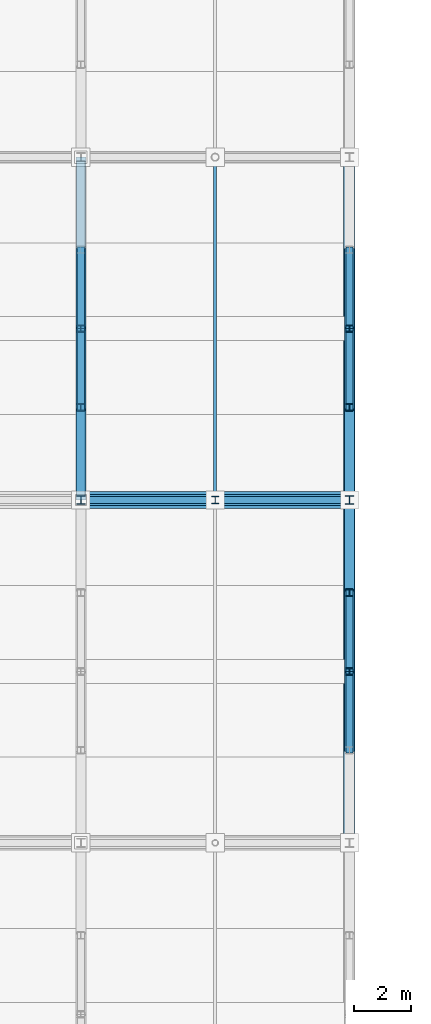
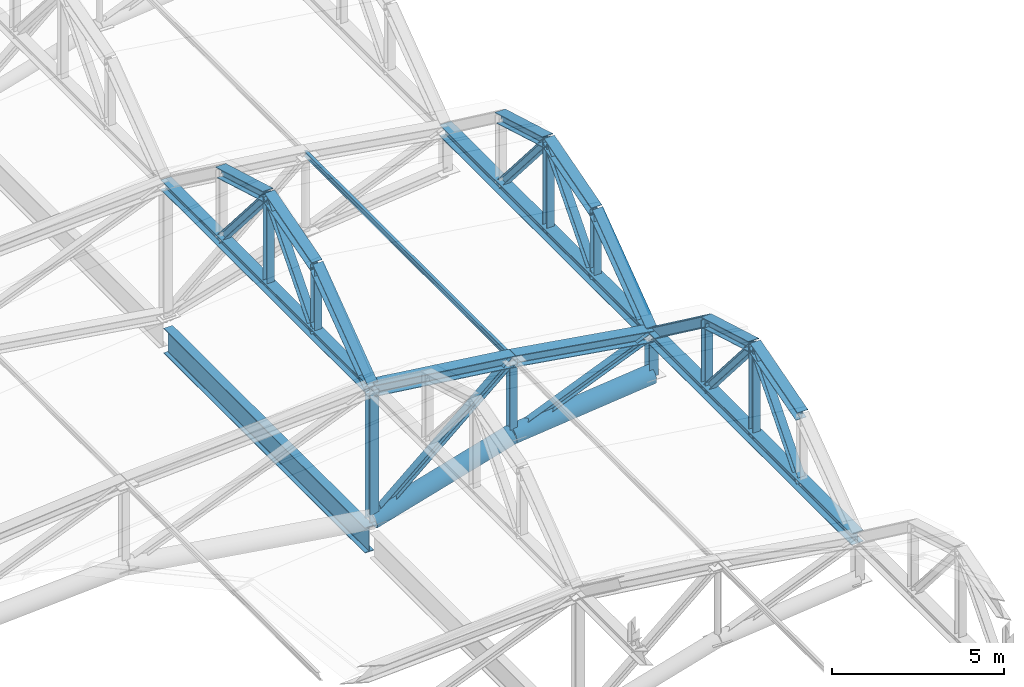
# One storey, part 33 of 117: 34 members, 1 beam.
"""IFC4 building model written with IfcOpenShell, lengths in metres."""

from ifc_helpers import new_model, si_unit, direction, frame, origin, origin_2d, place, context, subcontext, project, spatial, hollow_circle, i_section, extrude, material, material_profile, profile_set, type_object, element, save


model = new_model("IFC4")

# Units and contexts
model_context = context("Model", 3, precision=1e-05, world=origin(), true_north=direction((0.0, 1.0)))
body_context = subcontext(model_context, "Body", "Model", "MODEL_VIEW")
ifc_project = project(units=[si_unit("LENGTHUNIT", "METRE"), si_unit("AREAUNIT", "SQUARE_METRE"), si_unit("VOLUMEUNIT", "CUBIC_METRE"), si_unit("PLANEANGLEUNIT", "RADIAN"), si_unit("MASSUNIT", "GRAM", prefix="KILO")], contexts=[model_context])

# Site, building, storey
site_placement = place(None, origin())
site = spatial("IfcSite", under=ifc_project, at=site_placement, CompositionType="ELEMENT")
building_placement = place(site_placement, origin())
building = spatial("IfcBuilding", under=site, at=building_placement, Name="Kazenohara Klinker Stadium", CompositionType="ELEMENT")
storey_placement = place(building_placement, frame((0.0, 0.0, 31.199951171875)))
storey = spatial("IfcBuildingStorey", under=building, at=storey_placement, Name="RF", CompositionType="ELEMENT", Elevation=31.199951171875)

# Members
ifc_material = material(Name="Steel S355", Category="steel")
ifc_material_profile_1 = material_profile(ifc_material, i_section(OverallWidth=0.25, OverallDepth=0.25, WebThickness=0.009033203125, FlangeThickness=0.013916015625, FilletRadius=0.012939453125, at=origin_2d()), Name="H-250x250x9x14")
ifc_profile_set_1 = profile_set([ifc_material_profile_1], Name="Steel S355")
member_type_1 = type_object("IfcMemberType", Name="MEM-BRC02", PredefinedType="BRACE", material=ifc_profile_set_1)
member_1_placement = place(storey_placement, frame((49.0, 84.0, -0.02001953125), z_axis=(0.755945561544, 0.0, 0.65463448426), x_axis=(0.0, 1.0, 0.0)))
element("IfcMember", 1, at=member_1_placement, inside=storey, type_object=member_type_1, Name="ROOF TRUSS RT-W04 web diagonal 4", PredefinedType="BRACE", context=body_context, shape_type="SweptSolid", body=[
    extrude(i_section(OverallWidth=0.25, OverallDepth=0.25, WebThickness=0.009033203125, FlangeThickness=0.013916015625, FilletRadius=0.012939453125, at=origin_2d()), origin(), (0.0, 0.0, 1.0), 6.21728515625),
])
member_2_placement = place(storey_placement, frame((53.699951171875, 84.0, 1.35009765625), z_axis=(0.923659284192, 0.0, 0.383214726655), x_axis=(0.0, 1.0, 0.0)))
element("IfcMember", 2, at=member_2_placement, inside=storey, type_object=member_type_1, Name="ROOF TRUSS RT-W04 web diagonal 5", PredefinedType="BRACE", context=body_context, shape_type="SweptSolid", body=[
    extrude(i_section(OverallWidth=0.25, OverallDepth=0.25, WebThickness=0.009033203125, FlangeThickness=0.013916015625, FilletRadius=0.012939453125, at=origin_2d()), origin(), (0.0, 0.0, 1.0), 5.08837890625),
])
ifc_material_profile_2 = material_profile(ifc_material, i_section(OverallWidth=0.39990234375, OverallDepth=0.39990234375, WebThickness=0.012939453125, FlangeThickness=0.02099609375, FilletRadius=0.02197265625, at=origin_2d()), Name="H-400x400x13x21")
ifc_profile_set_2 = profile_set([ifc_material_profile_2], Name="Steel S355")
member_type_2 = type_object("IfcMemberType", Name="MEM-CHD01", PredefinedType="CHORD", material=ifc_profile_set_2)
member_3_placement = place(storey_placement, frame((49.0, 84.0, 4.650146484375), z_axis=(0.99194702514, 0.0, -0.126653461524), x_axis=(0.0, 1.0, 0.0)))
element("IfcMember", 3, at=member_3_placement, inside=storey, type_object=member_type_2, Name="ROOF TRUSS RT-W04 top arched chord 4", PredefinedType="CHORD", context=body_context, shape_type="SweptSolid", body=[
    extrude(i_section(OverallWidth=0.39990234375, OverallDepth=0.39990234375, WebThickness=0.012939453125, FlangeThickness=0.02099609375, FilletRadius=0.02197265625, at=origin_2d()), origin(), (0.0, 0.0, 1.0), 4.738037109375),
])
member_4_placement = place(storey_placement, frame((53.699951171875, 84.0, 4.050048828125), z_axis=(0.987505848374, 0.0, -0.157582357602), x_axis=(0.0, 1.0, 0.0)))
element("IfcMember", 4, at=member_4_placement, inside=storey, type_object=member_type_2, Name="ROOF TRUSS RT-W04 top arched chord 5", PredefinedType="CHORD", context=body_context, shape_type="SweptSolid", body=[
    extrude(i_section(OverallWidth=0.39990234375, OverallDepth=0.39990234375, WebThickness=0.012939453125, FlangeThickness=0.02099609375, FilletRadius=0.02197265625, at=origin_2d()), origin(), (0.0, 0.0, 1.0), 4.759521484375),
])
for number, where, z_axis, x_axis, name in (
    (5, (58.39990234375, 72.0, 3.300048828125), (0.0, 1.0, 0.0), (-1.0, 0.0, 0.0), "Inner tension ring chord TC01 segment 03"),
    (6, (58.39990234375, 84.0, 3.300048828125), (0.0, 1.0, 0.0), (-1.0, 0.0, 0.0), "Inner tension ring chord TC01 segment 04"),
):
    element("IfcMember", number, at=place(storey_placement, frame(where, z_axis=z_axis, x_axis=x_axis)), inside=storey, type_object=member_type_2, Name=name, PredefinedType="CHORD", context=body_context, shape_type="SweptSolid", body=[
        extrude(i_section(OverallWidth=0.39990234375, OverallDepth=0.39990234375, WebThickness=0.012939453125, FlangeThickness=0.02099609375, FilletRadius=0.02197265625, at=origin_2d()), origin(), (0.0, 0.0, 1.0), 12.0),
    ])
ifc_material_profile_3 = material_profile(ifc_material, i_section(OverallWidth=0.35009765625, OverallDepth=0.35009765625, WebThickness=0.011962890625, FlangeThickness=0.01904296875, FilletRadius=0.012939453125, at=origin_2d()), Name="H-350x350x12x19")
ifc_profile_set_3 = profile_set([ifc_material_profile_3], Name="Steel S355")
member_type_3 = type_object("IfcMemberType", Name="MEM-CHD02", PredefinedType="CHORD", material=ifc_profile_set_3)
for number, where, z_axis, x_axis, name in (
    (7, (58.39990234375, 75.239990234375, 5.699951171875), (0.0, 0.960462085918, 0.27841081429), (-1.0, 0.0, 0.0), "Barrel arch top rib TC02 W-03-N5-S2"),
    (8, (58.39990234375, 78.0, 6.5), (0.0, 0.960462085918, -0.27841081429), (-1.0, 0.0, 0.0), "Barrel arch top rib TC02 W-03-N5-S3"),
):
    element("IfcMember", number, at=place(storey_placement, frame(where, z_axis=z_axis, x_axis=x_axis)), inside=storey, type_object=member_type_3, Name=name, PredefinedType="CHORD", context=body_context, shape_type="SweptSolid", body=[
        extrude(i_section(OverallWidth=0.35009765625, OverallDepth=0.35009765625, WebThickness=0.011962890625, FlangeThickness=0.01904296875, FilletRadius=0.012939453125, at=origin_2d()), origin(), (0.0, 0.0, 1.0), 2.87353515625),
    ])
member_5_placement = place(storey_placement, frame((58.39990234375, 80.760009765625, 5.699951171875), z_axis=(0.0, 0.803567919639, -0.595213069856), x_axis=(-1.0, 0.0, 0.0)))
element("IfcMember", 9, at=member_5_placement, inside=storey, type_object=member_type_3, Name="Barrel arch top rib TC02 W-03-N5-S4", PredefinedType="CHORD", context=body_context, shape_type="SweptSolid", body=[
    extrude(i_section(OverallWidth=0.35009765625, OverallDepth=0.35009765625, WebThickness=0.011962890625, FlangeThickness=0.01904296875, FilletRadius=0.012939453125, at=origin_2d()), origin(), (0.0, 0.0, 1.0), 4.031982421875),
])
member_6_placement = place(storey_placement, frame((49.0, 84.0, 4.650146484375), z_axis=(0.0, 1.0, 0.0), x_axis=(-1.0, 0.0, 0.0)))
element("IfcMember", 10, at=member_6_placement, inside=storey, type_object=member_type_3, Name="Barrel arch tie chord TC02 W-04-N3", PredefinedType="CHORD", context=body_context, shape_type="SweptSolid", body=[
    extrude(i_section(OverallWidth=0.35009765625, OverallDepth=0.35009765625, WebThickness=0.011962890625, FlangeThickness=0.01904296875, FilletRadius=0.012939453125, at=origin_2d()), origin(), (0.0, 0.0, 1.0), 12.0),
])
member_7_placement = place(storey_placement, frame((49.0, 84.0, 4.650146484375), z_axis=(0.0, 0.803567919639, 0.595213069856), x_axis=(-1.0, 0.0, 0.0)))
element("IfcMember", 11, at=member_7_placement, inside=storey, type_object=member_type_3, Name="Barrel arch top rib TC02 W-04-N3-S1", PredefinedType="CHORD", context=body_context, shape_type="SweptSolid", body=[
    extrude(i_section(OverallWidth=0.35009765625, OverallDepth=0.35009765625, WebThickness=0.011962890625, FlangeThickness=0.01904296875, FilletRadius=0.012939453125, at=origin_2d()), origin(), (0.0, 0.0, 1.0), 4.031982421875),
])
for number, where, z_axis, x_axis, name in (
    (12, (49.0, 87.239990234375, 7.050048828125), (0.0, 0.960462085918, 0.27841081429), (-1.0, 0.0, 0.0), "Barrel arch top rib TC02 W-04-N3-S2"),
    (13, (49.0, 90.0, 7.85009765625), (0.0, 0.960462085918, -0.27841081429), (-1.0, 0.0, 0.0), "Barrel arch top rib TC02 W-04-N3-S3"),
):
    element("IfcMember", number, at=place(storey_placement, frame(where, z_axis=z_axis, x_axis=x_axis)), inside=storey, type_object=member_type_3, Name=name, PredefinedType="CHORD", context=body_context, shape_type="SweptSolid", body=[
        extrude(i_section(OverallWidth=0.35009765625, OverallDepth=0.35009765625, WebThickness=0.011962890625, FlangeThickness=0.01904296875, FilletRadius=0.012939453125, at=origin_2d()), origin(), (0.0, 0.0, 1.0), 2.87353515625),
    ])
member_8_placement = place(storey_placement, frame((58.39990234375, 84.0, 3.300048828125), z_axis=(0.0, 0.803567919639, 0.595213069856), x_axis=(-1.0, 0.0, 0.0)))
element("IfcMember", 14, at=member_8_placement, inside=storey, type_object=member_type_3, Name="Barrel arch top rib TC02 W-04-N5-S1", PredefinedType="CHORD", context=body_context, shape_type="SweptSolid", body=[
    extrude(i_section(OverallWidth=0.35009765625, OverallDepth=0.35009765625, WebThickness=0.011962890625, FlangeThickness=0.01904296875, FilletRadius=0.012939453125, at=origin_2d()), origin(), (0.0, 0.0, 1.0), 4.031982421875),
])
for number, where, z_axis, x_axis, name in (
    (15, (58.39990234375, 87.239990234375, 5.699951171875), (0.0, 0.960462085918, 0.27841081429), (-1.0, 0.0, 0.0), "Barrel arch top rib TC02 W-04-N5-S2"),
    (16, (58.39990234375, 90.0, 6.5), (0.0, 0.960462085918, -0.27841081429), (-1.0, 0.0, 0.0), "Barrel arch top rib TC02 W-04-N5-S3"),
):
    element("IfcMember", number, at=place(storey_placement, frame(where, z_axis=z_axis, x_axis=x_axis)), inside=storey, type_object=member_type_3, Name=name, PredefinedType="CHORD", context=body_context, shape_type="SweptSolid", body=[
        extrude(i_section(OverallWidth=0.35009765625, OverallDepth=0.35009765625, WebThickness=0.011962890625, FlangeThickness=0.01904296875, FilletRadius=0.012939453125, at=origin_2d()), origin(), (0.0, 0.0, 1.0), 2.87353515625),
    ])
ifc_material_profile_4 = material_profile(ifc_material, hollow_circle(Radius=0.3046875, WallThickness=0.01611328125, at=origin_2d()), Name="CHS-609.6x16")
ifc_profile_set_4 = profile_set([ifc_material_profile_4], Name="Steel S355")
member_type_4 = type_object("IfcMemberType", Name="MEM-CHD05", PredefinedType="CHORD", material=ifc_profile_set_4)
member_9_placement = place(storey_placement, frame((49.0, 84.0, -0.02001953125), z_axis=(0.960038530088, 0.0, 0.279867863012), x_axis=(0.0, 1.0, 0.0)))
element("IfcMember", 17, at=member_9_placement, inside=storey, type_object=member_type_4, Name="ROOF TRUSS RT-W04 bottom arched chord 4", PredefinedType="CHORD", context=body_context, shape_type="SweptSolid", body=[
    extrude(hollow_circle(Radius=0.3046875, WallThickness=0.01611328125, at=origin_2d()), origin(), (0.0, 0.0, 1.0), 4.8955078125),
])
member_10_placement = place(storey_placement, frame((53.699951171875, 84.0, 1.35009765625), z_axis=(0.99438879757, 0.0, 0.105787141313), x_axis=(0.0, 1.0, 0.0)))
element("IfcMember", 18, at=member_10_placement, inside=storey, type_object=member_type_4, Name="ROOF TRUSS RT-W04 bottom arched chord 5", PredefinedType="CHORD", context=body_context, shape_type="SweptSolid", body=[
    extrude(hollow_circle(Radius=0.3046875, WallThickness=0.01611328125, at=origin_2d()), origin(), (0.0, 0.0, 1.0), 4.7265625),
])
ifc_material_profile_5 = material_profile(ifc_material, i_section(OverallWidth=0.10009765625, OverallDepth=0.199951171875, WebThickness=0.005615234375, FlangeThickness=0.008056640625, FilletRadius=0.008056640625, at=origin_2d()), Name="H-200x100x5.5x8")
ifc_profile_set_5 = profile_set([ifc_material_profile_5], Name="Steel S355")
member_type_5 = type_object("IfcMemberType", Name="MEM-PUR02", PredefinedType="PURLIN", material=ifc_profile_set_5)
member_11_placement = place(storey_placement, frame((53.699951171875, 84.0, 4.070068359375), z_axis=(0.0, 1.0, 0.0), x_axis=(-1.0, 0.0, 0.0)))
element("IfcMember", 19, at=member_11_placement, inside=storey, type_object=member_type_5, Name="Canopy valley tie purlin PR02 W-04-N4", PredefinedType="PURLIN", context=body_context, shape_type="SweptSolid", body=[
    extrude(i_section(OverallWidth=0.10009765625, OverallDepth=0.199951171875, WebThickness=0.005615234375, FlangeThickness=0.008056640625, FilletRadius=0.008056640625, at=origin_2d()), origin(), (0.0, 0.0, 1.0), 12.0),
])
ifc_material_profile_6 = material_profile(ifc_material, i_section(OverallWidth=0.300048828125, OverallDepth=0.300048828125, WebThickness=0.010009765625, FlangeThickness=0.014892578125, FilletRadius=0.012939453125, at=origin_2d()), Name="H-300x300x10x15")
ifc_profile_set_6 = profile_set([ifc_material_profile_6], Name="Steel S355")
member_type_6 = type_object("IfcMemberType", Name="MEM-STR01", PredefinedType="STRUT", material=ifc_profile_set_6)
member_12_placement = place(storey_placement, frame((49.0, 84.0, -0.02001953125), z_axis=(0.0, 0.0, 1.0), x_axis=(1.0, 0.0, 0.0)))
element("IfcMember", 20, at=member_12_placement, inside=storey, type_object=member_type_6, Name="ROOF TRUSS RT-W04 web post 4", PredefinedType="STRUT", context=body_context, shape_type="SweptSolid", body=[
    extrude(i_section(OverallWidth=0.300048828125, OverallDepth=0.300048828125, WebThickness=0.010009765625, FlangeThickness=0.014892578125, FilletRadius=0.012939453125, at=origin_2d()), origin(), (0.0, 0.0, 1.0), 4.670166015625),
])
member_13_placement = place(storey_placement, frame((58.39990234375, 84.0, 1.85009765625), z_axis=(0.0, 0.0, 1.0), x_axis=(1.0, 0.0, 0.0)))
element("IfcMember", 21, at=member_13_placement, inside=storey, type_object=member_type_6, Name="ROOF TRUSS RT-W04 web post 6", PredefinedType="STRUT", context=body_context, shape_type="SweptSolid", body=[
    extrude(i_section(OverallWidth=0.300048828125, OverallDepth=0.300048828125, WebThickness=0.010009765625, FlangeThickness=0.014892578125, FilletRadius=0.012939453125, at=origin_2d()), origin(), (0.0, 0.0, 1.0), 1.449951171875),
])
ifc_material_profile_7 = material_profile(ifc_material, i_section(OverallWidth=0.25, OverallDepth=0.25, WebThickness=0.009033203125, FlangeThickness=0.013916015625, FilletRadius=0.012939453125, at=origin_2d()), Name="H-250x250x9x14")
ifc_profile_set_7 = profile_set([ifc_material_profile_7], Name="Steel S355")
member_type_7 = type_object("IfcMemberType", Name="MEM-STR02", PredefinedType="STRUT", material=ifc_profile_set_7)
member_14_placement = place(storey_placement, frame((53.699951171875, 84.0, 1.35009765625), z_axis=(0.0, 0.0, 1.0), x_axis=(1.0, 0.0, 0.0)))
element("IfcMember", 22, at=member_14_placement, inside=storey, type_object=member_type_7, Name="ROOF TRUSS RT-W04 web post 5", PredefinedType="STRUT", context=body_context, shape_type="SweptSolid", body=[
    extrude(i_section(OverallWidth=0.25, OverallDepth=0.25, WebThickness=0.009033203125, FlangeThickness=0.013916015625, FilletRadius=0.012939453125, at=origin_2d()), origin(), (0.0, 0.0, 1.0), 2.699951171875),
])
member_15_placement = place(storey_placement, frame((58.39990234375, 78.0, 3.300048828125), z_axis=(0.0, 0.0, 1.0), x_axis=(1.0, 0.0, 0.0)))
element("IfcMember", 23, at=member_15_placement, inside=storey, type_object=member_type_7, Name="Barrel arch web post TS02 W-03-N5-P2", PredefinedType="STRUT", context=body_context, shape_type="SweptSolid", body=[
    extrude(i_section(OverallWidth=0.25, OverallDepth=0.25, WebThickness=0.009033203125, FlangeThickness=0.013916015625, FilletRadius=0.012939453125, at=origin_2d()), origin(), (0.0, 0.0, 1.0), 3.199951171875),
])
member_16_placement = place(storey_placement, frame((58.39990234375, 80.760009765625, 3.300048828125), z_axis=(0.0, 0.0, 1.0), x_axis=(1.0, 0.0, 0.0)))
element("IfcMember", 24, at=member_16_placement, inside=storey, type_object=member_type_7, Name="Barrel arch web post TS02 W-03-N5-P3", PredefinedType="STRUT", context=body_context, shape_type="SweptSolid", body=[
    extrude(i_section(OverallWidth=0.25, OverallDepth=0.25, WebThickness=0.009033203125, FlangeThickness=0.013916015625, FilletRadius=0.012939453125, at=origin_2d()), origin(), (0.0, 0.0, 1.0), 2.39990234375),
])
for number, where, z_axis, x_axis, name in (
    (25, (58.39990234375, 75.239990234375, 3.300048828125), (0.0, 0.653133887971, 0.757242447558), (-1.0, 0.0, 0.0), "Barrel arch web diagonal TS02 W-03-N5-D1"),
    (26, (58.39990234375, 80.760009765625, 3.300048828125), (0.0, -0.653133887971, 0.757242447558), (1.0, 0.0, 0.0), "Barrel arch web diagonal TS02 W-03-N5-D2"),
):
    element("IfcMember", number, at=place(storey_placement, frame(where, z_axis=z_axis, x_axis=x_axis)), inside=storey, type_object=member_type_7, Name=name, PredefinedType="STRUT", context=body_context, shape_type="SweptSolid", body=[
        extrude(i_section(OverallWidth=0.25, OverallDepth=0.25, WebThickness=0.009033203125, FlangeThickness=0.013916015625, FilletRadius=0.012939453125, at=origin_2d()), origin(), (0.0, 0.0, 1.0), 4.225830078125),
    ])
member_17_placement = place(storey_placement, frame((49.0, 87.239990234375, 4.650146484375), z_axis=(0.0, 0.0, 1.0), x_axis=(1.0, 0.0, 0.0)))
element("IfcMember", 27, at=member_17_placement, inside=storey, type_object=member_type_7, Name="Barrel arch web post TS02 W-04-N3-P1", PredefinedType="STRUT", context=body_context, shape_type="SweptSolid", body=[
    extrude(i_section(OverallWidth=0.25, OverallDepth=0.25, WebThickness=0.009033203125, FlangeThickness=0.013916015625, FilletRadius=0.012939453125, at=origin_2d()), origin(), (0.0, 0.0, 1.0), 2.39990234375),
])
member_18_placement = place(storey_placement, frame((49.0, 90.0, 4.650146484375), z_axis=(0.0, 0.0, 1.0), x_axis=(1.0, 0.0, 0.0)))
element("IfcMember", 28, at=member_18_placement, inside=storey, type_object=member_type_7, Name="Barrel arch web post TS02 W-04-N3-P2", PredefinedType="STRUT", context=body_context, shape_type="SweptSolid", body=[
    extrude(i_section(OverallWidth=0.25, OverallDepth=0.25, WebThickness=0.009033203125, FlangeThickness=0.013916015625, FilletRadius=0.012939453125, at=origin_2d()), origin(), (0.0, 0.0, 1.0), 3.199951171875),
])
for number, where, z_axis, x_axis, name in (
    (29, (49.0, 87.239990234375, 4.650146484375), (0.0, 0.653133887971, 0.757242447558), (-1.0, 0.0, 0.0), "Barrel arch web diagonal TS02 W-04-N3-D1"),
    (30, (49.0, 92.760009765625, 4.650146484375), (0.0, -0.653133887971, 0.757242447558), (1.0, 0.0, 0.0), "Barrel arch web diagonal TS02 W-04-N3-D2"),
):
    element("IfcMember", number, at=place(storey_placement, frame(where, z_axis=z_axis, x_axis=x_axis)), inside=storey, type_object=member_type_7, Name=name, PredefinedType="STRUT", context=body_context, shape_type="SweptSolid", body=[
        extrude(i_section(OverallWidth=0.25, OverallDepth=0.25, WebThickness=0.009033203125, FlangeThickness=0.013916015625, FilletRadius=0.012939453125, at=origin_2d()), origin(), (0.0, 0.0, 1.0), 4.225830078125),
    ])
member_19_placement = place(storey_placement, frame((58.39990234375, 87.239990234375, 3.300048828125), z_axis=(0.0, 0.0, 1.0), x_axis=(1.0, 0.0, 0.0)))
element("IfcMember", 31, at=member_19_placement, inside=storey, type_object=member_type_7, Name="Barrel arch web post TS02 W-04-N5-P1", PredefinedType="STRUT", context=body_context, shape_type="SweptSolid", body=[
    extrude(i_section(OverallWidth=0.25, OverallDepth=0.25, WebThickness=0.009033203125, FlangeThickness=0.013916015625, FilletRadius=0.012939453125, at=origin_2d()), origin(), (0.0, 0.0, 1.0), 2.39990234375),
])
member_20_placement = place(storey_placement, frame((58.39990234375, 90.0, 3.300048828125), z_axis=(0.0, 0.0, 1.0), x_axis=(1.0, 0.0, 0.0)))
element("IfcMember", 32, at=member_20_placement, inside=storey, type_object=member_type_7, Name="Barrel arch web post TS02 W-04-N5-P2", PredefinedType="STRUT", context=body_context, shape_type="SweptSolid", body=[
    extrude(i_section(OverallWidth=0.25, OverallDepth=0.25, WebThickness=0.009033203125, FlangeThickness=0.013916015625, FilletRadius=0.012939453125, at=origin_2d()), origin(), (0.0, 0.0, 1.0), 3.199951171875),
])
for number, where, z_axis, x_axis, name in (
    (33, (58.39990234375, 87.239990234375, 3.300048828125), (0.0, 0.653133887971, 0.757242447558), (-1.0, 0.0, 0.0), "Barrel arch web diagonal TS02 W-04-N5-D1"),
    (34, (58.39990234375, 92.760009765625, 3.300048828125), (0.0, -0.653133887971, 0.757242447558), (1.0, 0.0, 0.0), "Barrel arch web diagonal TS02 W-04-N5-D2"),
):
    element("IfcMember", number, at=place(storey_placement, frame(where, z_axis=z_axis, x_axis=x_axis)), inside=storey, type_object=member_type_7, Name=name, PredefinedType="STRUT", context=body_context, shape_type="SweptSolid", body=[
        extrude(i_section(OverallWidth=0.25, OverallDepth=0.25, WebThickness=0.009033203125, FlangeThickness=0.013916015625, FilletRadius=0.012939453125, at=origin_2d()), origin(), (0.0, 0.0, 1.0), 4.225830078125),
    ])

# Beam
ifc_material_profile_8 = material_profile(ifc_material, i_section(OverallWidth=0.300048828125, OverallDepth=0.89990234375, WebThickness=0.01611328125, FlangeThickness=0.028076171875, FilletRadius=0.02197265625, at=origin_2d()), Name="H-900x300x16x28")
ifc_profile_set_8 = profile_set([ifc_material_profile_8], Name="Steel S355")
beam_type = type_object("IfcBeamType", Name="RING-RB01", PredefinedType="USERDEFINED", material=ifc_profile_set_8)
beam_placement = place(storey_placement, frame((49.0, 84.139892578125, -0.820068359375), z_axis=(0.0, 1.0, 0.0), x_axis=(-1.0, 0.0, 0.0)))
element("IfcBeam", 35, at=beam_placement, inside=storey, type_object=beam_type, Name="Roof ring beam RB01 W-IN H-J", ObjectType="RING BEAM", PredefinedType="USERDEFINED", context=body_context, shape_type="SweptSolid", body=[
    extrude(i_section(OverallWidth=0.300048828125, OverallDepth=0.89990234375, WebThickness=0.01611328125, FlangeThickness=0.028076171875, FilletRadius=0.02197265625, at=origin_2d()), origin(), (0.0, 0.0, 1.0), 11.72021484375),
])

save(model, "model.ifc")
